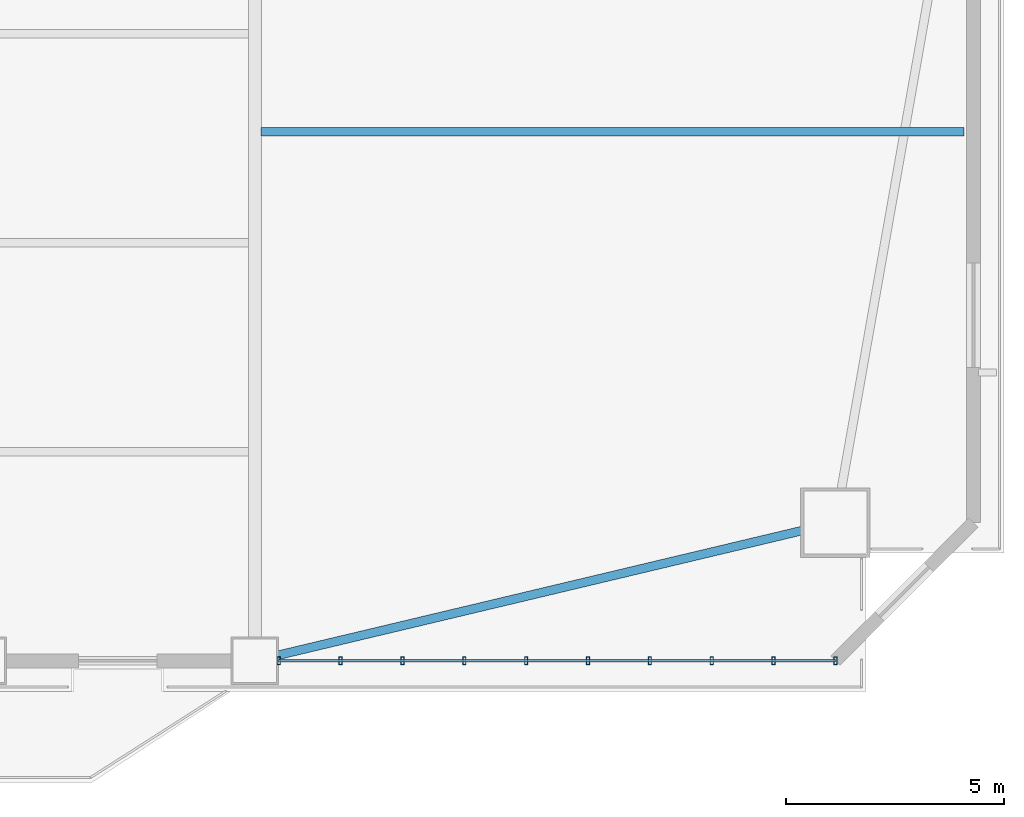
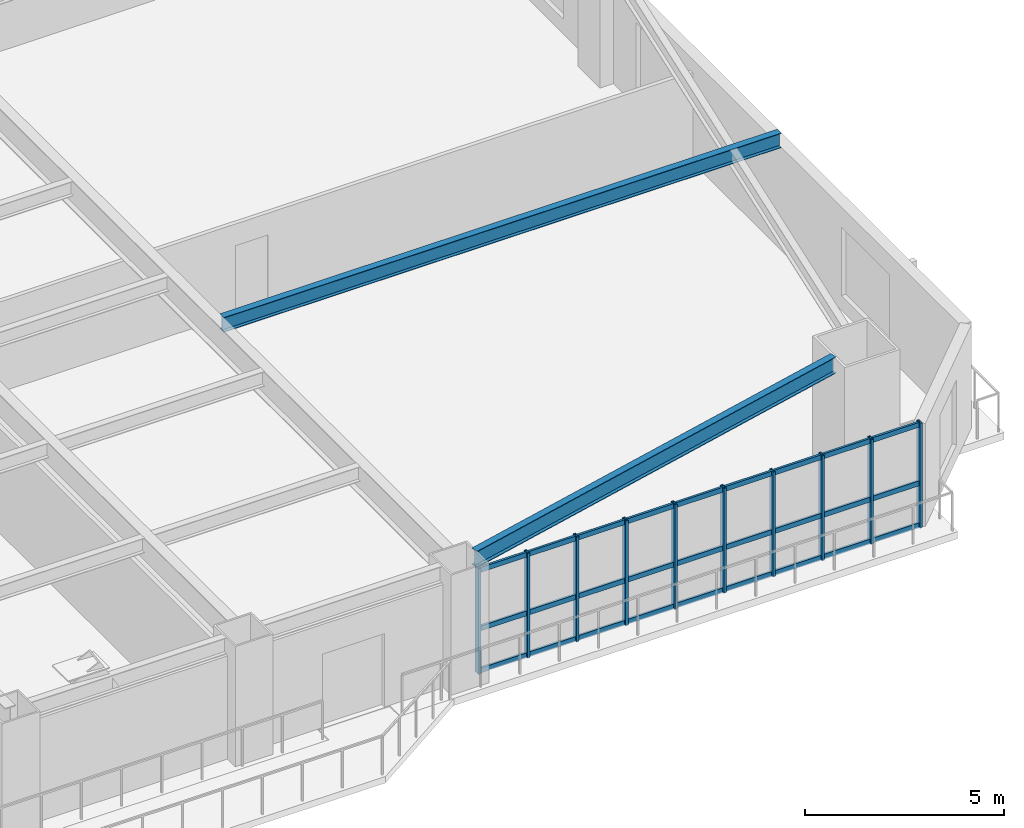
# One storey, part 6 of 17: 13 members, 2 beams, 1 element without a shape of its own.
"""IFC4 building model written with IfcOpenShell, lengths in metres."""

from ifc_helpers import new_model, si_unit, direction, frame, origin, origin_2d, place, context, subcontext, project, spatial, hollow_rectangle, i_section, extrude, source, transform, mapped, material, layer, layer_set, material_profile, profile_set, type_object, element, aggregate, save


model = new_model("IFC4")

# Units and contexts
model_context = context("Model", 3, precision=1e-05, world=origin(), true_north=direction((0.0, 1.0)))
body_context = subcontext(model_context, "Body", "Model", "MODEL_VIEW")
ifc_project = project(units=[si_unit("LENGTHUNIT", "METRE"), si_unit("AREAUNIT", "SQUARE_METRE"), si_unit("VOLUMEUNIT", "CUBIC_METRE"), si_unit("PLANEANGLEUNIT", "RADIAN"), si_unit("MASSUNIT", "GRAM", prefix="KILO")], contexts=[model_context])

# Site, building, storey
site_placement = place(None, origin())
site = spatial("IfcSite", under=ifc_project, at=site_placement, CompositionType="ELEMENT")
building_placement = place(site_placement, origin())
building = spatial("IfcBuilding", under=site, at=building_placement, Name="Giltprow Tower", CompositionType="ELEMENT")
storey_placement = place(building_placement, frame((0.0, 0.0, 41.0)))
storey = spatial("IfcBuildingStorey", under=building, at=storey_placement, Name="L10", CompositionType="ELEMENT", Elevation=41.0)

# Beams
ifc_material_1 = material(Name="Structural steel Q355B", Category="steel")
ifc_material_profile_1 = material_profile(ifc_material_1, i_section(OverallWidth=0.199951171875, OverallDepth=0.5, WebThickness=0.010009765625, FlangeThickness=0.01611328125, at=origin_2d()), Name="HN 500x200x10x16")
ifc_profile_set_1 = profile_set([ifc_material_profile_1], Name="Structural steel Q355B")
beam_type_1 = type_object("IfcBeamType", Name="BM-SPAN-HN500", PredefinedType="SPANDREL", material=ifc_profile_set_1)
shared_shape_1 = source(origin(), body_context, "Body", "SweptSolid", [
    extrude(i_section(OverallWidth=0.199951171875, OverallDepth=0.5, WebThickness=0.010009765625, FlangeThickness=0.01611328125, at=origin_2d()), origin(), (0.0, 0.0, 1.0), 12.393310546875),
])
beam_1_placement = place(storey_placement, frame((51.070068359375, 3.950927734375, 3.429931640625), z_axis=(0.972852062108, 0.23142788348, 0.0), x_axis=(-0.23142788348, 0.972852062108, 0.0)))
element("IfcBeam", 1, at=beam_1_placement, inside=storey, type_object=beam_type_1, Name="L10 Perimeter Spandrel Beam S4-MC_SE", PredefinedType="SPANDREL", context=body_context, shape_type="MappedRepresentation", body=[
    mapped(shared_shape_1, transform((0.0, 0.0, 0.0), x_axis=(1.0, 0.0, 0.0), y_axis=(0.0, 1.0, 0.0), z_axis=(0.0, 0.0, 1.0), scale=1.0)),
])
ifc_material_profile_2 = material_profile(ifc_material_1, i_section(OverallWidth=0.199951171875, OverallDepth=0.449951171875, WebThickness=0.009033203125, FlangeThickness=0.013916015625, at=origin_2d()), Name="HN 450x200x9x14")
ifc_profile_set_2 = profile_set([ifc_material_profile_2], Name="Structural steel Q355B")
beam_type_2 = type_object("IfcBeamType", Name="BM-JOIST-HN450", PredefinedType="JOIST", material=ifc_profile_set_2)
shared_shape_2 = source(origin(), body_context, "Body", "SweptSolid", [
    extrude(i_section(OverallWidth=0.199951171875, OverallDepth=0.449951171875, WebThickness=0.009033203125, FlangeThickness=0.013916015625, at=origin_2d()), origin(), (0.0, 0.0, 1.0), 16.14990234375),
])
beam_2_placement = place(storey_placement, frame((50.695068359375, 15.98193359375, 3.455078125), z_axis=(1.0, 0.0, 0.0), x_axis=(0.0, 1.0, 0.0)))
element("IfcBeam", 2, at=beam_2_placement, inside=storey, type_object=beam_type_2, Name="L10 East Wing Floor Joist 1", PredefinedType="JOIST", context=body_context, shape_type="MappedRepresentation", body=[
    mapped(shared_shape_2, transform((0.0, 0.0, 0.0), x_axis=(1.0, 0.0, 0.0), y_axis=(0.0, 1.0, 0.0), z_axis=(0.0, 0.0, 1.0), scale=1.0)),
])

# Curtain wall, members
ifc_material_2 = material(Name="Anodized bronze", Category="metal")
ifc_layer = layer(ifc_material_2, 0.179931640625, Name="Anodized bronze")
ifc_layer_set = layer_set([ifc_layer], Name="Anodized bronze")
curtain_wall_type = type_object("IfcCurtainWallType", Name="CW-OFF-RECESSED", PredefinedType="NOTDEFINED", material=ifc_layer_set)
curtain_wall_placement = place(storey_placement, origin())
curtain_wall = element("IfcCurtainWall", 3, at=curtain_wall_placement, inside=storey, type_object=curtain_wall_type, Name="L10 South Recessed Curtain Wall 6", PredefinedType="NOTDEFINED")
ifc_material_profile_3 = material_profile(ifc_material_2, hollow_rectangle(XDim=0.074951171875, YDim=0.179931640625, WallThickness=0.008056640625, at=origin_2d()), Name="RHS 180x75x8")
ifc_profile_set_3 = profile_set([ifc_material_profile_3], Name="Anodized bronze")
member_type_1 = type_object("IfcMemberType", Name="CW-MULLION-180x75", PredefinedType="MULLION", material=ifc_profile_set_3)
shared_shape_3 = source(origin(), body_context, "Body", "SweptSolid", [
    extrude(hollow_rectangle(XDim=0.074951171875, YDim=0.179931640625, WallThickness=0.008056640625, at=origin_2d()), origin(), (0.0, 0.0, 1.0), 3.215087890625),
])
member_1_placement = place(storey_placement, frame((51.10009765625, 3.826904296875, -0.02001953125), z_axis=(0.0, 0.0, 1.0), x_axis=(1.0, 0.0, 0.0)))
member_1 = element("IfcMember", 4, at=member_1_placement, type_object=member_type_1, Name="L10 South Recessed Curtain Wall 6 Mullion 1", PredefinedType="MULLION", context=body_context, shape_type="MappedRepresentation", body=[
    mapped(shared_shape_3, transform((0.0, 0.0, 0.0), x_axis=(1.0, 0.0, 0.0), y_axis=(0.0, 1.0, 0.0), z_axis=(0.0, 0.0, 1.0), scale=1.0)),
])
member_2_placement = place(storey_placement, frame((52.52099609375, 3.826904296875, -0.02001953125), z_axis=(0.0, 0.0, 1.0), x_axis=(1.0, 0.0, 0.0)))
member_2 = element("IfcMember", 5, at=member_2_placement, type_object=member_type_1, Name="L10 South Recessed Curtain Wall 6 Mullion 2", PredefinedType="MULLION", context=body_context, shape_type="MappedRepresentation", body=[
    mapped(shared_shape_3, transform((0.0, 0.0, 0.0), x_axis=(1.0, 0.0, 0.0), y_axis=(0.0, 1.0, 0.0), z_axis=(0.0, 0.0, 1.0), scale=1.0)),
])
member_3_placement = place(storey_placement, frame((53.94189453125, 3.826904296875, -0.02001953125), z_axis=(0.0, 0.0, 1.0), x_axis=(1.0, 0.0, 0.0)))
member_3 = element("IfcMember", 6, at=member_3_placement, type_object=member_type_1, Name="L10 South Recessed Curtain Wall 6 Mullion 3", PredefinedType="MULLION", context=body_context, shape_type="MappedRepresentation", body=[
    mapped(shared_shape_3, transform((0.0, 0.0, 0.0), x_axis=(1.0, 0.0, 0.0), y_axis=(0.0, 1.0, 0.0), z_axis=(0.0, 0.0, 1.0), scale=1.0)),
])
member_4_placement = place(storey_placement, frame((55.364013671875, 3.826904296875, -0.02001953125), z_axis=(0.0, 0.0, 1.0), x_axis=(1.0, 0.0, 0.0)))
member_4 = element("IfcMember", 7, at=member_4_placement, type_object=member_type_1, Name="L10 South Recessed Curtain Wall 6 Mullion 4", PredefinedType="MULLION", context=body_context, shape_type="MappedRepresentation", body=[
    mapped(shared_shape_3, transform((0.0, 0.0, 0.0), x_axis=(1.0, 0.0, 0.0), y_axis=(0.0, 1.0, 0.0), z_axis=(0.0, 0.0, 1.0), scale=1.0)),
])
member_5_placement = place(storey_placement, frame((56.784912109375, 3.826904296875, -0.02001953125), z_axis=(0.0, 0.0, 1.0), x_axis=(1.0, 0.0, 0.0)))
member_5 = element("IfcMember", 8, at=member_5_placement, type_object=member_type_1, Name="L10 South Recessed Curtain Wall 6 Mullion 5", PredefinedType="MULLION", context=body_context, shape_type="MappedRepresentation", body=[
    mapped(shared_shape_3, transform((0.0, 0.0, 0.0), x_axis=(1.0, 0.0, 0.0), y_axis=(0.0, 1.0, 0.0), z_axis=(0.0, 0.0, 1.0), scale=1.0)),
])
member_6_placement = place(storey_placement, frame((58.2060546875, 3.826904296875, -0.02001953125), z_axis=(0.0, 0.0, 1.0), x_axis=(1.0, 0.0, 0.0)))
member_6 = element("IfcMember", 9, at=member_6_placement, type_object=member_type_1, Name="L10 South Recessed Curtain Wall 6 Mullion 6", PredefinedType="MULLION", context=body_context, shape_type="MappedRepresentation", body=[
    mapped(shared_shape_3, transform((0.0, 0.0, 0.0), x_axis=(1.0, 0.0, 0.0), y_axis=(0.0, 1.0, 0.0), z_axis=(0.0, 0.0, 1.0), scale=1.0)),
])
member_7_placement = place(storey_placement, frame((59.626953125, 3.826904296875, -0.02001953125), z_axis=(0.0, 0.0, 1.0), x_axis=(1.0, 0.0, 0.0)))
member_7 = element("IfcMember", 10, at=member_7_placement, type_object=member_type_1, Name="L10 South Recessed Curtain Wall 6 Mullion 7", PredefinedType="MULLION", context=body_context, shape_type="MappedRepresentation", body=[
    mapped(shared_shape_3, transform((0.0, 0.0, 0.0), x_axis=(1.0, 0.0, 0.0), y_axis=(0.0, 1.0, 0.0), z_axis=(0.0, 0.0, 1.0), scale=1.0)),
])
member_8_placement = place(storey_placement, frame((61.049072265625, 3.826904296875, -0.02001953125), z_axis=(0.0, 0.0, 1.0), x_axis=(1.0, 0.0, 0.0)))
member_8 = element("IfcMember", 11, at=member_8_placement, type_object=member_type_1, Name="L10 South Recessed Curtain Wall 6 Mullion 8", PredefinedType="MULLION", context=body_context, shape_type="MappedRepresentation", body=[
    mapped(shared_shape_3, transform((0.0, 0.0, 0.0), x_axis=(1.0, 0.0, 0.0), y_axis=(0.0, 1.0, 0.0), z_axis=(0.0, 0.0, 1.0), scale=1.0)),
])
member_9_placement = place(storey_placement, frame((62.469970703125, 3.826904296875, -0.02001953125), z_axis=(0.0, 0.0, 1.0), x_axis=(1.0, 0.0, 0.0)))
member_9 = element("IfcMember", 12, at=member_9_placement, type_object=member_type_1, Name="L10 South Recessed Curtain Wall 6 Mullion 9", PredefinedType="MULLION", context=body_context, shape_type="MappedRepresentation", body=[
    mapped(shared_shape_3, transform((0.0, 0.0, 0.0), x_axis=(1.0, 0.0, 0.0), y_axis=(0.0, 1.0, 0.0), z_axis=(0.0, 0.0, 1.0), scale=1.0)),
])
member_10_placement = place(storey_placement, frame((63.89111328125, 3.826904296875, -0.02001953125), z_axis=(0.0, 0.0, 1.0), x_axis=(1.0, 0.0, 0.0)))
member_10 = element("IfcMember", 13, at=member_10_placement, type_object=member_type_1, Name="L10 South Recessed Curtain Wall 6 Mullion 10", PredefinedType="MULLION", context=body_context, shape_type="MappedRepresentation", body=[
    mapped(shared_shape_3, transform((0.0, 0.0, 0.0), x_axis=(1.0, 0.0, 0.0), y_axis=(0.0, 1.0, 0.0), z_axis=(0.0, 0.0, 1.0), scale=1.0)),
])
ifc_material_profile_4 = material_profile(ifc_material_2, hollow_rectangle(XDim=0.06494140625, YDim=0.14990234375, WallThickness=0.006103515625, at=origin_2d()), Name="RHS 150x65x6")
ifc_profile_set_4 = profile_set([ifc_material_profile_4], Name="Anodized bronze")
member_type_2 = type_object("IfcMemberType", Name="CW-TRANSOM-150x65", PredefinedType="USERDEFINED", material=ifc_profile_set_4)
shared_shape_4 = source(origin(), body_context, "Body", "SweptSolid", [
    extrude(hollow_rectangle(XDim=0.06494140625, YDim=0.14990234375, WallThickness=0.006103515625, at=origin_2d()), origin(), (0.0, 0.0, 1.0), 12.791015625),
])
member_11_placement = place(storey_placement, frame((51.10009765625, 3.826904296875, 0.0400390625), z_axis=(1.0, 0.0, 0.0), x_axis=(0.0, 1.0, 0.0)))
member_11 = element("IfcMember", 14, at=member_11_placement, type_object=member_type_2, Name="L10 South Recessed Curtain Wall 6 Transom 1", ObjectType="TRANSOM", PredefinedType="USERDEFINED", context=body_context, shape_type="MappedRepresentation", body=[
    mapped(shared_shape_4, transform((0.0, 0.0, 0.0), x_axis=(1.0, 0.0, 0.0), y_axis=(0.0, 1.0, 0.0), z_axis=(0.0, 0.0, 1.0), scale=1.0)),
])
member_12_placement = place(storey_placement, frame((51.10009765625, 3.826904296875, 1.326904296875), z_axis=(1.0, 0.0, 0.0), x_axis=(0.0, 1.0, 0.0)))
member_12 = element("IfcMember", 15, at=member_12_placement, type_object=member_type_2, Name="L10 South Recessed Curtain Wall 6 Transom 2", ObjectType="TRANSOM", PredefinedType="USERDEFINED", context=body_context, shape_type="MappedRepresentation", body=[
    mapped(shared_shape_4, transform((0.0, 0.0, 0.0), x_axis=(1.0, 0.0, 0.0), y_axis=(0.0, 1.0, 0.0), z_axis=(0.0, 0.0, 1.0), scale=1.0)),
])
member_13_placement = place(storey_placement, frame((51.10009765625, 3.826904296875, 3.1201171875), z_axis=(1.0, 0.0, 0.0), x_axis=(0.0, 1.0, 0.0)))
member_13 = element("IfcMember", 16, at=member_13_placement, type_object=member_type_2, Name="L10 South Recessed Curtain Wall 6 Transom 3", ObjectType="TRANSOM", PredefinedType="USERDEFINED", context=body_context, shape_type="MappedRepresentation", body=[
    mapped(shared_shape_4, transform((0.0, 0.0, 0.0), x_axis=(1.0, 0.0, 0.0), y_axis=(0.0, 1.0, 0.0), z_axis=(0.0, 0.0, 1.0), scale=1.0)),
])
aggregate(curtain_wall, [member_1, member_2, member_3, member_4, member_5, member_6, member_7, member_8, member_9, member_10, member_11, member_12, member_13])

save(model, "model.ifc")
